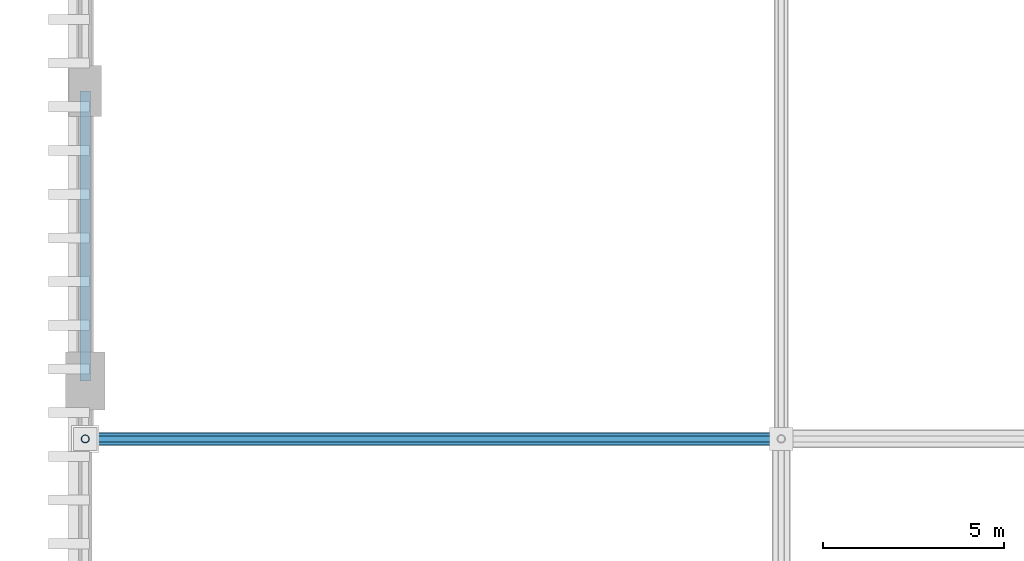
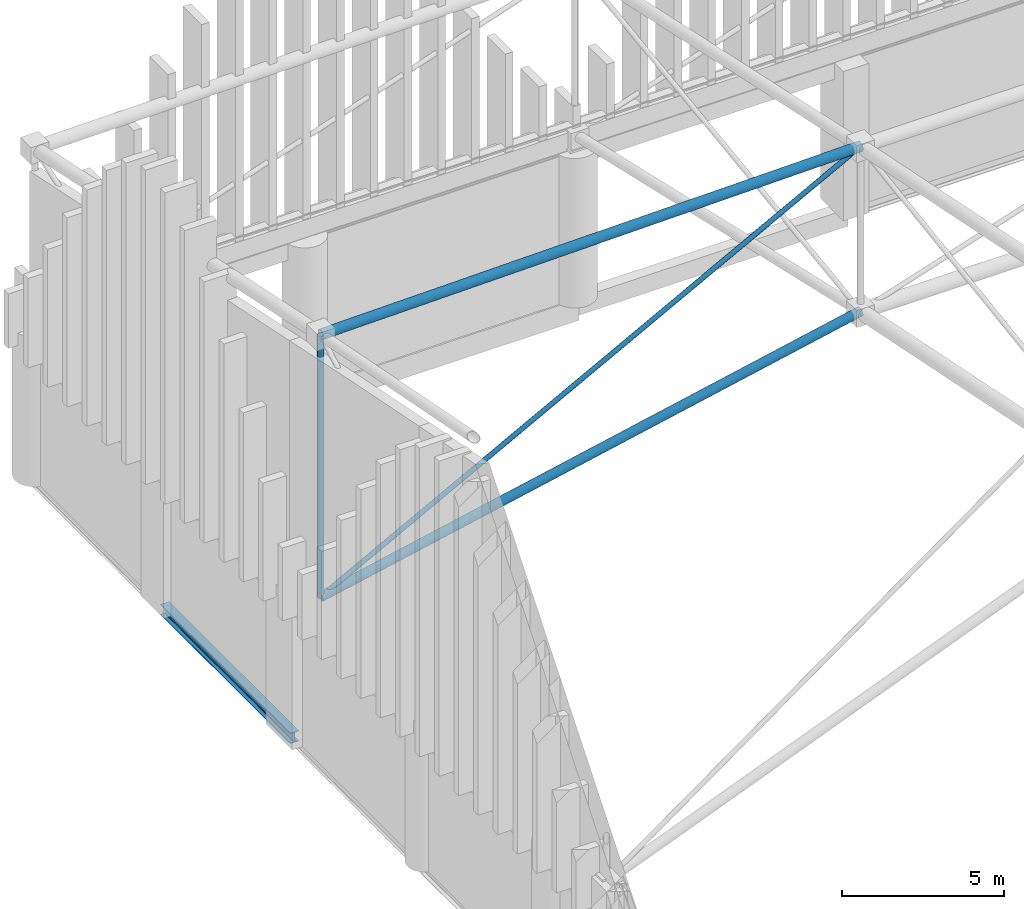
# One storey, part 121 of 193: 4 members, 1 beam.
"""IFC4 building model written with IfcOpenShell, lengths in metres."""

from ifc_helpers import new_model, si_unit, direction, frame, origin, origin_2d, place, context, subcontext, project, spatial, hollow_circle, i_section, extrude, material, material_profile, profile_set, type_object, element, save


model = new_model("IFC4")

# Units and contexts
model_context = context("Model", 3, precision=1e-05, world=origin(), true_north=direction((0.0, 1.0)))
body_context = subcontext(model_context, "Body", "Model", "MODEL_VIEW")
ifc_project = project(units=[si_unit("LENGTHUNIT", "METRE"), si_unit("AREAUNIT", "SQUARE_METRE"), si_unit("VOLUMEUNIT", "CUBIC_METRE"), si_unit("PLANEANGLEUNIT", "RADIAN"), si_unit("MASSUNIT", "GRAM", prefix="KILO")], contexts=[model_context])

# Site, building, storey
site_placement = place(None, origin())
site = spatial("IfcSite", under=ifc_project, at=site_placement, CompositionType="ELEMENT")
building_placement = place(site_placement, origin())
building = spatial("IfcBuilding", under=site, at=building_placement, Name="Danafjord Basin Convention Centre", CompositionType="ELEMENT")
storey_placement = place(building_placement, frame((0.0, 0.0, 11.39990234375)))
storey = spatial("IfcBuildingStorey", under=building, at=storey_placement, Name="L02", CompositionType="ELEMENT", Elevation=11.39990234375)

# Beam
ifc_material = material(Name="Steel S355", Category="steel")
ifc_material_profile_1 = material_profile(ifc_material, i_section(OverallWidth=0.300048828125, OverallDepth=0.39990234375, WebThickness=0.013427734375, FlangeThickness=0.02392578125, FilletRadius=0.027099609375, at=origin_2d()), Name="HEB 400")
ifc_profile_set_1 = profile_set([ifc_material_profile_1], Name="Steel S355")
beam_type = type_object("IfcBeamType", Name="BEAM-SP-HEB400", PredefinedType="SPANDREL", material=ifc_profile_set_1)
beam_placement = place(storey_placement, frame((0.0, 128.0, -0.199951171875), z_axis=(0.0, 1.0, 0.0), x_axis=(-1.0, 0.0, 0.0)))
element("IfcBeam", 1, at=beam_placement, inside=storey, type_object=beam_type, Name="L02 transverse girder SP-HEB400", PredefinedType="SPANDREL", context=body_context, shape_type="SweptSolid", body=[
    extrude(i_section(OverallWidth=0.300048828125, OverallDepth=0.39990234375, WebThickness=0.013427734375, FlangeThickness=0.02392578125, FilletRadius=0.027099609375, at=origin_2d()), origin(), (0.0, 0.0, 1.0), 8.0),
])

# Members
ifc_material_profile_2 = material_profile(ifc_material, hollow_circle(Radius=0.161865234375, WallThickness=0.01611328125, at=origin_2d()), Name="CHS 323.9x16.0")
ifc_profile_set_2 = profile_set([ifc_material_profile_2], Name="Steel S355")
member_type_1 = type_object("IfcMemberType", Name="MEM-CH-CHS324", PredefinedType="CHORD", material=ifc_profile_set_2)
member_1_placement = place(storey_placement, frame((0.0, 126.39990234375, 6.050048828125), z_axis=(0.978768565512, 0.0, 0.204968522379), x_axis=(0.0, 1.0, 0.0)))
element("IfcMember", 2, at=member_1_placement, inside=storey, type_object=member_type_1, Name="V1 roof truss longitudinal bottom chord", PredefinedType="CHORD", context=body_context, shape_type="SweptSolid", body=[
    extrude(hollow_circle(Radius=0.161865234375, WallThickness=0.01611328125, at=origin_2d()), origin(), (0.0, 0.0, 1.0), 19.616455078125),
])
ifc_material_profile_3 = material_profile(ifc_material, hollow_circle(Radius=0.177734375, WallThickness=0.01611328125, at=origin_2d()), Name="CHS 355.6x16.0")
ifc_profile_set_3 = profile_set([ifc_material_profile_3], Name="Steel S355")
member_type_2 = type_object("IfcMemberType", Name="MEM-CH-CHS355", PredefinedType="CHORD", material=ifc_profile_set_3)
member_2_placement = place(storey_placement, frame((0.0, 126.39990234375, 15.910888671875), z_axis=(0.999824159326, 0.0, 0.018752344583), x_axis=(0.0, 1.0, 0.0)))
element("IfcMember", 3, at=member_2_placement, inside=storey, type_object=member_type_2, Name="V1 roof truss longitudinal top chord", PredefinedType="CHORD", context=body_context, shape_type="SweptSolid", body=[
    extrude(hollow_circle(Radius=0.177734375, WallThickness=0.01611328125, at=origin_2d()), origin(), (0.0, 0.0, 1.0), 19.203369140625),
])
ifc_material_profile_4 = material_profile(ifc_material, hollow_circle(Radius=0.109619140625, WallThickness=0.010009765625, at=origin_2d()), Name="CHS 219.1x10.0")
ifc_profile_set_4 = profile_set([ifc_material_profile_4], Name="Steel S355")
member_type_3 = type_object("IfcMemberType", Name="MEM-ST-CHS219", PredefinedType="STRUT", material=ifc_profile_set_4)
member_3_placement = place(storey_placement, frame((0.0, 126.39990234375, 6.050048828125), z_axis=(0.0, 0.0, 1.0), x_axis=(1.0, 0.0, 0.0)))
element("IfcMember", 4, at=member_3_placement, inside=storey, type_object=member_type_3, Name="V1 roof truss vertical strut", PredefinedType="STRUT", context=body_context, shape_type="SweptSolid", body=[
    extrude(hollow_circle(Radius=0.109619140625, WallThickness=0.010009765625, at=origin_2d()), origin(), (0.0, 0.0, 1.0), 9.86083984375),
])
ifc_material_profile_5 = material_profile(ifc_material, hollow_circle(Radius=0.084228515625, WallThickness=0.008056640625, at=origin_2d()), Name="CHS 168.3x8.0")
ifc_profile_set_5 = profile_set([ifc_material_profile_5], Name="Steel S355")
member_type_4 = type_object("IfcMemberType", Name="MEM-WB-CHS168", PredefinedType="MEMBER", material=ifc_profile_set_5)
member_4_placement = place(storey_placement, frame((0.0, 126.39990234375, 6.050048828125), z_axis=(0.882715896493, 0.0, 0.469907061107), x_axis=(0.0, 1.0, 0.0)))
element("IfcMember", 5, at=member_4_placement, inside=storey, type_object=member_type_4, Name="V1 space-frame longitudinal web", PredefinedType="MEMBER", context=body_context, shape_type="SweptSolid", body=[
    extrude(hollow_circle(Radius=0.084228515625, WallThickness=0.008056640625, at=origin_2d()), origin(), (0.0, 0.0, 1.0), 21.7509765625),
])

save(model, "model.ifc")
